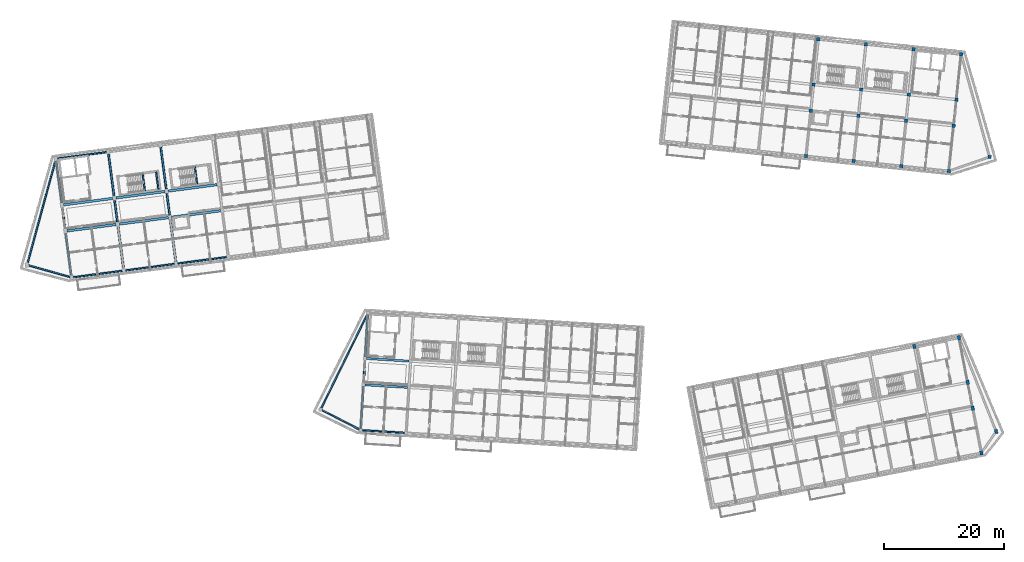
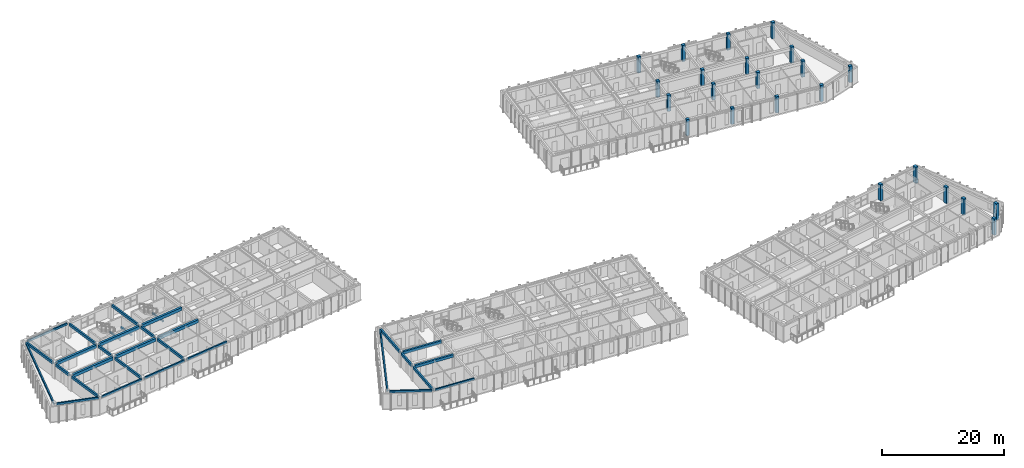
# One storey, part 2 of 66: 32 beams, 23 columns.
"""IFC4 building model written with IfcOpenShell, lengths in metres."""

from ifc_helpers import new_model, si_unit, direction, frame, origin, origin_2d, place, context, subcontext, project, spatial, rectangle, extrude, material, material_profile, profile_set, type_object, element, save


model = new_model("IFC4")

# Units and contexts
model_context = context("Model", 3, precision=1e-05, world=origin(), true_north=direction((0.0, 1.0)))
body_context = subcontext(model_context, "Body", "Model", "MODEL_VIEW")
ifc_project = project(units=[si_unit("LENGTHUNIT", "METRE"), si_unit("AREAUNIT", "SQUARE_METRE"), si_unit("VOLUMEUNIT", "CUBIC_METRE"), si_unit("PLANEANGLEUNIT", "RADIAN"), si_unit("MASSUNIT", "GRAM", prefix="KILO")], contexts=[model_context])

# Site, building, storey
site_placement = place(None, origin())
site = spatial("IfcSite", under=ifc_project, at=site_placement, CompositionType="ELEMENT")
building_placement = place(site_placement, origin())
building = spatial("IfcBuilding", under=site, at=building_placement, Name="Kestramere Prow Commons", CompositionType="ELEMENT")
storey_placement = place(building_placement, frame((0.0, 0.0, 14.89990234375)))
storey = spatial("IfcBuildingStorey", under=building, at=storey_placement, Name="L04", CompositionType="ELEMENT", Elevation=14.89990234375)

# Columns
ifc_material_1 = material(Name="Precast concrete C40/50", Category="concrete")
ifc_material_profile_1 = material_profile(ifc_material_1, rectangle(XDim=0.550048828125, YDim=0.550048828125, at=origin_2d()), Name="PC-COL 550x550")
ifc_profile_set_1 = profile_set([ifc_material_profile_1], Name="Precast concrete C40/50")
column_type_1 = type_object("IfcColumnType", Name="C-B2 PC-COL 550x550", PredefinedType="COLUMN", material=ifc_profile_set_1)
for number, where, z_axis, x_axis, name in (
    (1, (133.868408203125, 92.291259765625, 0.0), (0.0, 0.0, 1.0), (0.994521895368, -0.104528463268, 0.0), "Block B L04 Column 4-1"),
    (2, (134.662841796875, 99.849609375, 0.0), (0.0, 0.0, 1.0), (0.994521895368, -0.104528463268, 0.0), "Block B L04 Column 4-2"),
    (3, (135.122802734375, 104.2255859375, 0.0), (0.0, 0.0, 1.0), (0.994521895368, -0.104528463268, 0.0), "Block B L04 Column 4-3"),
    (4, (135.917236328125, 111.783935546875, 0.0), (0.0, 0.0, 1.0), (0.994521895368, -0.104528463268, 0.0), "Block B L04 Column 4-4"),
    (5, (141.82470703125, 91.455078125, 0.0), (0.0, 0.0, 1.0), (0.994521895368, -0.104528463268, 0.0), "Block B L04 Column 5-1"),
    (6, (142.619140625, 99.013427734375, 0.0), (0.0, 0.0, 1.0), (0.994521895368, -0.104528463268, 0.0), "Block B L04 Column 5-2"),
    (7, (143.0791015625, 103.389404296875, 0.0), (0.0, 0.0, 1.0), (0.994521895368, -0.104528463268, 0.0), "Block B L04 Column 5-3"),
    (8, (143.87353515625, 110.94775390625, 0.0), (0.0, 0.0, 1.0), (0.994521895368, -0.104528463268, 0.0), "Block B L04 Column 5-4"),
    (9, (149.78076171875, 90.618896484375, 0.0), (0.0, 0.0, 1.0), (0.994521895368, -0.104528463268, 0.0), "Block B L04 Column 6-1"),
    (10, (150.5751953125, 98.17724609375, 0.0), (0.0, 0.0, 1.0), (0.994521895368, -0.104528463268, 0.0), "Block B L04 Column 6-2"),
    (11, (151.03515625, 102.55322265625, 0.0), (0.0, 0.0, 1.0), (0.994521895368, -0.104528463268, 0.0), "Block B L04 Column 6-3"),
    (12, (151.82958984375, 110.111572265625, 0.0), (0.0, 0.0, 1.0), (0.994521895368, -0.104528463268, 0.0), "Block B L04 Column 6-4"),
    (13, (157.737060546875, 89.78271484375, 0.0), (0.0, 0.0, 1.0), (0.994521895368, -0.104528463268, 0.0), "Block B L04 Column 7-1"),
    (14, (158.531494140625, 97.341064453125, 0.0), (0.0, 0.0, 1.0), (0.994521895368, -0.104528463268, 0.0), "Block B L04 Column 7-2"),
    (15, (158.991455078125, 101.716796875, 0.0), (0.0, 0.0, 1.0), (0.994521895368, -0.104528463268, 0.0), "Block B L04 Column 7-3"),
    (16, (159.785888671875, 109.275146484375, 0.0), (0.0, 0.0, 1.0), (0.994521895368, -0.104528463268, 0.0), "Block B L04 Column 7-4"),
    (17, (164.520263671875, 92.136474609375, 0.0), (0.0, 0.0, 1.0), (0.994521895368, -0.104528463268, 0.0), "Block B L04 Prow Apex Column"),
):
    element("IfcColumn", number, at=place(storey_placement, frame(where, z_axis=z_axis, x_axis=x_axis)), inside=storey, type_object=column_type_1, Name=name, PredefinedType="COLUMN", context=body_context, shape_type="SweptSolid", body=[
        extrude(rectangle(XDim=0.550048828125, YDim=0.550048828125, at=origin_2d()), origin(), (0.0, 0.0, 1.0), 3.25),
    ])
ifc_material_profile_2 = material_profile(ifc_material_1, rectangle(XDim=0.5, YDim=0.699951171875, at=origin_2d()), Name="PC-COL 500x700")
ifc_profile_set_2 = profile_set([ifc_material_profile_2], Name="Precast concrete C40/50")
column_type_2 = type_object("IfcColumnType", Name="C-D2 PC-COL 500x700", PredefinedType="COLUMN", material=ifc_profile_set_2)
for number, where, z_axis, x_axis, name in (
    (18, (151.9619140625, 60.49072265625, 0.0), (0.0, 0.0, 1.0), (0.981627183448, 0.190808995377, 0.0), "Block D L04 Column 6-4"),
    (19, (163.162109375, 42.700927734375, 0.0), (0.0, 0.0, 1.0), (0.981627183448, 0.190808995377, 0.0), "Block D L04 Column 7-1"),
    (20, (161.712158203125, 50.161376953125, 0.0), (0.0, 0.0, 1.0), (0.981627183448, 0.190808995377, 0.0), "Block D L04 Column 7-2"),
    (21, (160.87255859375, 54.48046875, 0.0), (0.0, 0.0, 1.0), (0.981627183448, 0.190808995377, 0.0), "Block D L04 Column 7-3"),
    (22, (159.42236328125, 61.940673828125, 0.0), (0.0, 0.0, 1.0), (0.981627183448, 0.190808995377, 0.0), "Block D L04 Column 7-4"),
    (23, (165.623291015625, 46.286376953125, 0.0), (0.0, 0.0, 1.0), (0.981627183448, 0.190808995377, 0.0), "Block D L04 Prow Apex Column"),
):
    element("IfcColumn", number, at=place(storey_placement, frame(where, z_axis=z_axis, x_axis=x_axis)), inside=storey, type_object=column_type_2, Name=name, PredefinedType="COLUMN", context=body_context, shape_type="SweptSolid", body=[
        extrude(rectangle(XDim=0.5, YDim=0.699951171875, at=origin_2d()), origin(), (0.0, 0.0, 1.0), 3.25),
    ])

# Beams
ifc_material_profile_3 = material_profile(ifc_material_1, rectangle(XDim=0.39990234375, YDim=0.60009765625, at=origin_2d()), Name="PC-BM 400x600")
ifc_profile_set_3 = profile_set([ifc_material_profile_3], Name="Precast concrete C40/50")
beam_type_1 = type_object("IfcBeamType", Name="BM-A1 PC-BM 400x600", PredefinedType="BEAM", material=ifc_profile_set_3)
for number, where, z_axis, x_axis, name in (
    (24, (10.45458984375, 79.76904296875, 2.7001953125), (0.991443917843, 0.130533358852, 0.0), (-0.130533358852, 0.991443917843, 0.0), "Block A L04 Longitudinal Beam 2-1"),
    (25, (19.17919921875, 80.917724609375, 2.7001953125), (0.991443917843, 0.130533358852, 0.0), (-0.130533358852, 0.991443917843, 0.0), "Block A L04 Longitudinal Beam 2-2"),
    (26, (27.904052734375, 82.06640625, 2.7001953125), (0.991443917843, 0.130533358852, 0.0), (-0.130533358852, 0.991443917843, 0.0), "Block A L04 Longitudinal Beam 2-3"),
    (27, (9.880126953125, 84.131591796875, 2.7001953125), (0.991447747213, 0.130504270221, 0.0), (-0.130504270221, 0.991447747213, 0.0), "Block A L04 Longitudinal Beam 3-1"),
    (28, (18.60498046875, 85.2802734375, 2.7001953125), (0.991447747213, 0.130504270221, 0.0), (-0.130504270221, 0.991447747213, 0.0), "Block A L04 Longitudinal Beam 3-2"),
    (29, (27.32958984375, 86.4287109375, 2.7001953125), (0.991443917843, 0.130533358852, 0.0), (-0.130533358852, 0.991443917843, 0.0), "Block A L04 Longitudinal Beam 3-3"),
):
    element("IfcBeam", number, at=place(storey_placement, frame(where, z_axis=z_axis, x_axis=x_axis)), inside=storey, type_object=beam_type_1, Name=name, PredefinedType="BEAM", context=body_context, shape_type="SweptSolid", body=[
        extrude(rectangle(XDim=0.39990234375, YDim=0.60009765625, at=origin_2d()), origin(), (0.0, 0.0, 1.0), 8.25),
    ])
ifc_material_profile_4 = material_profile(ifc_material_1, rectangle(XDim=0.35009765625, YDim=0.550048828125, at=origin_2d()), Name="PC-BM 350x550")
ifc_profile_set_4 = profile_set([ifc_material_profile_4], Name="Precast concrete C40/50")
beam_type_2 = type_object("IfcBeamType", Name="BM-C1 PC-BM 350x550", PredefinedType="BEAM", material=ifc_profile_set_4)
for number, where, z_axis, x_axis, name in (
    (30, (60.213623046875, 54.070556640625, 2.72509765625), (0.998135568114, -0.061035953884, 0.0), (0.061035953884, 0.998135568114, 0.0), "Block C L04 Longitudinal Beam 2-1"),
    (31, (60.482177734375, 58.46240234375, 2.72509765625), (0.998133472633, -0.061070212127, 0.0), (0.061070212127, 0.998133472633, 0.0), "Block C L04 Longitudinal Beam 3-1"),
):
    element("IfcBeam", number, at=place(storey_placement, frame(where, z_axis=z_axis, x_axis=x_axis)), inside=storey, type_object=beam_type_2, Name=name, PredefinedType="BEAM", context=body_context, shape_type="SweptSolid", body=[
        extrude(rectangle(XDim=0.35009765625, YDim=0.550048828125, at=origin_2d()), origin(), (0.0, 0.0, 1.0), 7.099853515625),
    ])
ifc_material_2 = material(Name="Concrete C40/50", Category="concrete")
ifc_material_profile_5 = material_profile(ifc_material_2, rectangle(XDim=0.25, YDim=0.35009765625, at=origin_2d()), Name="PC-BM 250x350")
ifc_profile_set_5 = profile_set([ifc_material_profile_5], Name="Concrete C40/50")
beam_type_3 = type_object("IfcBeamType", Name="BM-ST-TRIM", PredefinedType="BEAM", material=ifc_profile_set_5)
for number, where, z_axis, x_axis, name in (
    (32, (23.4384765625, 86.451171875, 1.25), (-0.130520071219, 0.9914456672, 0.0), (-0.9914456672, -0.130520071219, 0.0), "ST-A1 L04 Landing Trimmer Beam 1A"),
    (33, (25.698974609375, 86.748779296875, 1.25), (-0.130520071219, 0.9914456672, 0.0), (-0.9914456672, -0.130520071219, 0.0), "ST-A1 L04 Landing Trimmer Beam 1B"),
):
    element("IfcBeam", number, at=place(storey_placement, frame(where, z_axis=z_axis, x_axis=x_axis)), inside=storey, type_object=beam_type_3, Name=name, PredefinedType="BEAM", context=body_context, shape_type="SweptSolid", body=[
        extrude(rectangle(XDim=0.25, YDim=0.35009765625, at=origin_2d()), origin(), (0.0, 0.0, 1.0), 2.889892578125),
    ])
beam_1_placement = place(storey_placement, frame((32.1630859375, 87.599609375, 1.25), z_axis=(-0.130509140242, 0.99144710616, 0.0), x_axis=(-0.99144710616, -0.130509140242, 0.0)))
element("IfcBeam", 34, at=beam_1_placement, inside=storey, type_object=beam_type_3, Name="ST-A2 L04 Landing Trimmer Beam 1A", PredefinedType="BEAM", context=body_context, shape_type="SweptSolid", body=[
    extrude(rectangle(XDim=0.25, YDim=0.35009765625, at=origin_2d()), origin(), (0.0, 0.0, 1.0), 2.89013671875),
])
ifc_material_profile_6 = material_profile(ifc_material_1, rectangle(XDim=0.300048828125, YDim=0.5, at=origin_2d()), Name="PC-BM 300x500")
ifc_profile_set_6 = profile_set([ifc_material_profile_6], Name="Precast concrete C40/50")
beam_type_4 = type_object("IfcBeamType", Name="BM-TIE-01 PC-BM 300x500", PredefinedType="BEAM", material=ifc_profile_set_6)
beam_2_placement = place(storey_placement, frame((11.151123046875, 72.371826171875, 2.75), z_axis=(-0.130519009654, 0.99144580695, 0.0), x_axis=(-0.99144580695, -0.130519009654, 0.0)))
element("IfcBeam", 35, at=beam_2_placement, inside=storey, type_object=beam_type_4, Name="Block A L04 Transverse Beam 1-1", PredefinedType="BEAM", context=body_context, shape_type="SweptSolid", body=[
    extrude(rectangle(XDim=0.300048828125, YDim=0.5, at=origin_2d()), origin(), (0.0, 0.0, 1.0), 7.050048828125),
])
beam_3_placement = place(storey_placement, frame((10.133056640625, 80.10498046875, 2.75), z_axis=(-0.13056005306, 0.991440402921, 0.0), x_axis=(-0.991440402921, -0.13056005306, 0.0)))
element("IfcBeam", 36, at=beam_3_placement, inside=storey, type_object=beam_type_4, Name="Block A L04 Transverse Beam 1-2", PredefinedType="BEAM", context=body_context, shape_type="SweptSolid", body=[
    extrude(rectangle(XDim=0.300048828125, YDim=0.5, at=origin_2d()), origin(), (0.0, 0.0, 1.0), 3.650146484375),
])
for number, where, z_axis, x_axis, name in (
    (37, (9.55859375, 84.467529296875, 2.75), (-0.130523490966, 0.991445216997, 0.0), (-0.991445216997, -0.130523490966, 0.0), "Block A L04 Transverse Beam 1-3"),
    (38, (19.875732421875, 73.5205078125, 2.75), (-0.130523490966, 0.991445216997, 0.0), (-0.991445216997, -0.130523490966, 0.0), "Block A L04 Transverse Beam 2-1"),
):
    element("IfcBeam", number, at=place(storey_placement, frame(where, z_axis=z_axis, x_axis=x_axis)), inside=storey, type_object=beam_type_4, Name=name, PredefinedType="BEAM", context=body_context, shape_type="SweptSolid", body=[
        extrude(rectangle(XDim=0.300048828125, YDim=0.5, at=origin_2d()), origin(), (0.0, 0.0, 1.0), 7.0498046875),
    ])
beam_4_placement = place(storey_placement, frame((18.857666015625, 81.253662109375, 2.75), z_axis=(-0.130494307047, 0.991449058615, 0.0), x_axis=(-0.991449058615, -0.130494307047, 0.0)))
element("IfcBeam", 39, at=beam_4_placement, inside=storey, type_object=beam_type_4, Name="Block A L04 Transverse Beam 2-2", PredefinedType="BEAM", context=body_context, shape_type="SweptSolid", body=[
    extrude(rectangle(XDim=0.300048828125, YDim=0.5, at=origin_2d()), origin(), (0.0, 0.0, 1.0), 3.650146484375),
])
for number, where, z_axis, x_axis, name in (
    (40, (18.283447265625, 85.615966796875, 2.75), (-0.130553049113, 0.991441325227, 0.0), (-0.991441325227, -0.130553049113, 0.0), "Block A L04 Transverse Beam 2-3"),
    (41, (28.6005859375, 74.6689453125, 2.75), (-0.130553049113, 0.991441325227, 0.0), (-0.991441325227, -0.130553049113, 0.0), "Block A L04 Transverse Beam 3-1"),
):
    element("IfcBeam", number, at=place(storey_placement, frame(where, z_axis=z_axis, x_axis=x_axis)), inside=storey, type_object=beam_type_4, Name=name, PredefinedType="BEAM", context=body_context, shape_type="SweptSolid", body=[
        extrude(rectangle(XDim=0.300048828125, YDim=0.5, at=origin_2d()), origin(), (0.0, 0.0, 1.0), 7.050048828125),
    ])
beam_5_placement = place(storey_placement, frame((27.582275390625, 82.40234375, 2.75), z_axis=(-0.130502961205, 0.991447919518, 0.0), x_axis=(-0.991447919518, -0.130502961205, 0.0)))
element("IfcBeam", 42, at=beam_5_placement, inside=storey, type_object=beam_type_4, Name="Block A L04 Transverse Beam 3-2", PredefinedType="BEAM", context=body_context, shape_type="SweptSolid", body=[
    extrude(rectangle(XDim=0.300048828125, YDim=0.5, at=origin_2d()), origin(), (0.0, 0.0, 1.0), 3.64990234375),
])
beam_6_placement = place(storey_placement, frame((27.008056640625, 86.7646484375, 2.75), z_axis=(-0.130519009654, 0.99144580695, 0.0), x_axis=(-0.99144580695, -0.130519009654, 0.0)))
element("IfcBeam", 43, at=beam_6_placement, inside=storey, type_object=beam_type_4, Name="Block A L04 Transverse Beam 3-3", PredefinedType="BEAM", context=body_context, shape_type="SweptSolid", body=[
    extrude(rectangle(XDim=0.300048828125, YDim=0.5, at=origin_2d()), origin(), (0.0, 0.0, 1.0), 7.050048828125),
])
beam_7_placement = place(storey_placement, frame((59.515380859375, 46.74951171875, 2.75), z_axis=(0.061035953884, 0.998135568114, 0.0), x_axis=(-0.998135568114, 0.061035953884, 0.0)))
element("IfcBeam", 44, at=beam_7_placement, inside=storey, type_object=beam_type_4, Name="Block C L04 Transverse Beam 1-1", PredefinedType="BEAM", context=body_context, shape_type="SweptSolid", body=[
    extrude(rectangle(XDim=0.300048828125, YDim=0.5, at=origin_2d()), origin(), (0.0, 0.0, 1.0), 7.099853515625),
])
beam_8_placement = place(storey_placement, frame((59.979248046875, 54.33544921875, 2.75), z_axis=(0.061037511668, 0.998135472854, 0.0), x_axis=(-0.998135472854, 0.061037511668, 0.0)))
element("IfcBeam", 45, at=beam_8_placement, inside=storey, type_object=beam_type_4, Name="Block C L04 Transverse Beam 1-2", PredefinedType="BEAM", context=body_context, shape_type="SweptSolid", body=[
    extrude(rectangle(XDim=0.300048828125, YDim=0.5, at=origin_2d()), origin(), (0.0, 0.0, 1.0), 3.89990234375),
])
beam_9_placement = place(storey_placement, frame((60.247802734375, 58.72705078125, 2.75), z_axis=(0.061068116134, 0.998133600873, 0.0), x_axis=(-0.998133600873, 0.061068116134, 0.0)))
element("IfcBeam", 46, at=beam_9_placement, inside=storey, type_object=beam_type_4, Name="Block C L04 Transverse Beam 1-3", PredefinedType="BEAM", context=body_context, shape_type="SweptSolid", body=[
    extrude(rectangle(XDim=0.300048828125, YDim=0.5, at=origin_2d()), origin(), (0.0, 0.0, 1.0), 7.10009765625),
])
ifc_material_profile_7 = material_profile(ifc_material_1, rectangle(XDim=0.25, YDim=0.39990234375, at=origin_2d()), Name="PC-SP 250x400")
ifc_profile_set_7 = profile_set([ifc_material_profile_7], Name="Precast concrete C40/50")
beam_type_5 = type_object("IfcBeamType", Name="SP-EXT-01 PC-SP 250x400", PredefinedType="SPANDREL", material=ifc_profile_set_7)
beam_10_placement = place(storey_placement, frame((10.930419921875, 72.075927734375, 2.800048828125), z_axis=(-0.96246176941, 0.271417284681, 0.0), x_axis=(-0.271417284681, -0.96246176941, 0.0)))
element("IfcBeam", 47, at=beam_10_placement, inside=storey, type_object=beam_type_5, Name="Block A L04 Prow Facet Beam S", PredefinedType="SPANDREL", context=body_context, shape_type="SweptSolid", body=[
    extrude(rectangle(XDim=0.25, YDim=0.39990234375, at=origin_2d()), origin(), (0.0, 0.0, 1.0), 7.167236328125),
])
beam_11_placement = place(storey_placement, frame((8.515869140625, 91.558837890625, 2.800048828125), z_axis=(-0.262653591278, -0.964890196338, 0.0), x_axis=(0.964890196338, -0.262653591278, 0.0)))
element("IfcBeam", 48, at=beam_11_placement, inside=storey, type_object=beam_type_5, Name="Block A L04 Prow Facet Beam N", PredefinedType="SPANDREL", context=body_context, shape_type="SweptSolid", body=[
    extrude(rectangle(XDim=0.25, YDim=0.39990234375, at=origin_2d()), origin(), (0.0, 0.0, 1.0), 17.81689453125),
])
for number, where, z_axis, x_axis, name in (
    (49, (11.47265625, 72.035888671875, 2.800048828125), (0.991443917843, 0.130533358852, 0.0), (-0.130533358852, 0.991443917843, 0.0), "Block A L04 Longitudinal Beam 1-1"),
    (50, (20.197265625, 73.1845703125, 2.800048828125), (0.991443917843, 0.130533358852, 0.0), (-0.130533358852, 0.991443917843, 0.0), "Block A L04 Longitudinal Beam 1-2"),
    (51, (28.922119140625, 74.333251953125, 2.800048828125), (0.991447747213, 0.130504270221, 0.0), (-0.130504270221, 0.991447747213, 0.0), "Block A L04 Longitudinal Beam 1-3"),
    (52, (8.862060546875, 91.86474609375, 2.800048828125), (0.991443917843, 0.130533358852, 0.0), (-0.130533358852, 0.991443917843, 0.0), "Block A L04 Longitudinal Beam 4-1"),
):
    element("IfcBeam", number, at=place(storey_placement, frame(where, z_axis=z_axis, x_axis=x_axis)), inside=storey, type_object=beam_type_5, Name=name, PredefinedType="SPANDREL", context=body_context, shape_type="SweptSolid", body=[
        extrude(rectangle(XDim=0.25, YDim=0.39990234375, at=origin_2d()), origin(), (0.0, 0.0, 1.0), 8.25),
    ])
beam_12_placement = place(storey_placement, frame((59.251220703125, 46.628662109375, 2.800048828125), z_axis=(-0.888240269485, 0.459379171998, 0.0), x_axis=(-0.459379171998, -0.888240269485, 0.0)))
element("IfcBeam", 53, at=beam_12_placement, inside=storey, type_object=beam_type_5, Name="Block C L04 Prow Facet Beam S", PredefinedType="SPANDREL", context=body_context, shape_type="SweptSolid", body=[
    extrude(rectangle(XDim=0.25, YDim=0.39990234375, at=origin_2d()), origin(), (0.0, 0.0, 1.0), 6.98388671875),
])
beam_13_placement = place(storey_placement, frame((60.5732421875, 65.81201171875, 2.800048828125), z_axis=(-0.440448933016, -0.897777665909, 0.0), x_axis=(0.897777665909, -0.440448933016, 0.0)))
element("IfcBeam", 54, at=beam_13_placement, inside=storey, type_object=beam_type_5, Name="Block C L04 Prow Facet Beam N", PredefinedType="SPANDREL", context=body_context, shape_type="SweptSolid", body=[
    extrude(rectangle(XDim=0.25, YDim=0.39990234375, at=origin_2d()), origin(), (0.0, 0.0, 1.0), 17.37060546875),
])
beam_14_placement = place(storey_placement, frame((59.74951171875, 46.484619140625, 2.800048828125), z_axis=(0.998135568114, -0.061035953884, 0.0), x_axis=(0.061035953884, 0.998135568114, 0.0)))
element("IfcBeam", 55, at=beam_14_placement, inside=storey, type_object=beam_type_5, Name="Block C L04 Longitudinal Beam 1-1", PredefinedType="SPANDREL", context=body_context, shape_type="SweptSolid", body=[
    extrude(rectangle(XDim=0.25, YDim=0.39990234375, at=origin_2d()), origin(), (0.0, 0.0, 1.0), 7.099853515625),
])

save(model, "model.ifc")
